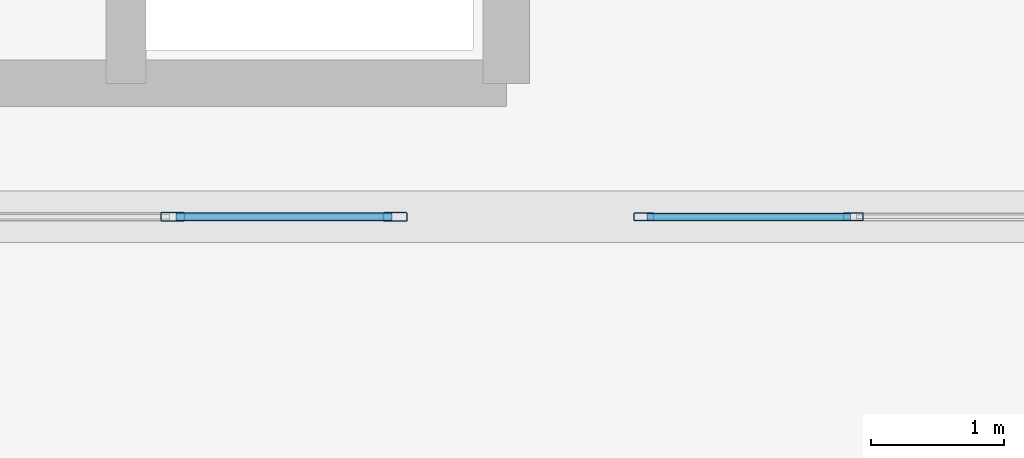
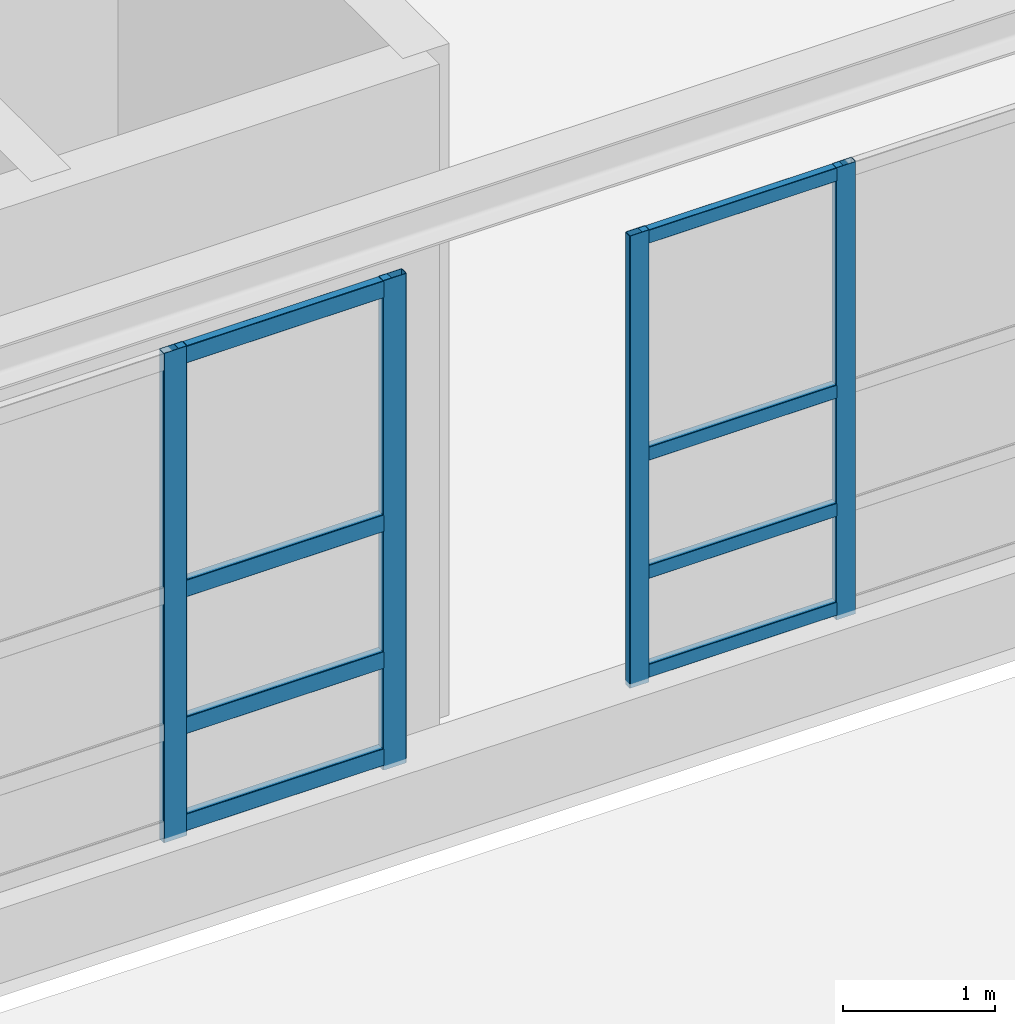
# One storey, part 46 of 197: 12 members, 2 elements without a shape of their own.
"""IFC4 building model written with IfcOpenShell, lengths in metres."""

from ifc_helpers import new_model, si_unit, derived_unit, direction, frame, origin, origin_2d, place, context, subcontext, project, spatial, hollow_rectangle, extrude, material, layer, layer_set, material_profile, profile_set, type_object, element, aggregate, save


model = new_model("IFC4")

# Units and contexts
model_context = context("Model", 3, precision=1e-05, world=origin(), true_north=direction((0.0, 1.0)))
body_context = subcontext(model_context, "Body", "Model", "MODEL_VIEW")
ifc_project = project(units=[si_unit("LENGTHUNIT", "METRE"), si_unit("AREAUNIT", "SQUARE_METRE"), si_unit("VOLUMEUNIT", "CUBIC_METRE"), si_unit("PLANEANGLEUNIT", "RADIAN"), si_unit("MASSUNIT", "GRAM", prefix="KILO"), derived_unit("THERMALTRANSMITTANCEUNIT", [(si_unit("POWERUNIT", "WATT"), 1), (si_unit("LENGTHUNIT", "METRE"), -2), (si_unit("THERMODYNAMICTEMPERATUREUNIT", "KELVIN"), -1)])], contexts=[model_context])

# Site, building, storey
site_placement = place(None, origin())
site = spatial("IfcSite", under=ifc_project, at=site_placement, CompositionType="ELEMENT")
building_placement = place(site_placement, origin())
building = spatial("IfcBuilding", under=site, at=building_placement, Name="Almenara Railside Exhibition Hall", CompositionType="ELEMENT")
storey_placement = place(building_placement, frame((0.0, 0.0, 5.39990234375)))
storey = spatial("IfcBuildingStorey", under=building, at=storey_placement, Name="L01", CompositionType="ELEMENT", Elevation=5.39990234375)

# Curtain wall, members
ifc_material_1 = material(Name="Bronze-anodised aluminium and low-E double glazing", Category="aluminium")
ifc_layer_1 = layer(ifc_material_1, 0.179931640625, Name="Bronze-anodised aluminium and low-E double glazing")
ifc_layer_set_1 = layer_set([ifc_layer_1], Name="Bronze-anodised aluminium and low-E double glazing")
curtain_wall_type_1 = type_object("IfcCurtainWallType", Name="Concourse Bridge Curtain Wall 3200x3600", PredefinedType="NOTDEFINED", material=ifc_layer_set_1)
curtain_wall_1_placement = place(storey_placement, origin())
curtain_wall_1 = element("IfcCurtainWall", 1, at=curtain_wall_1_placement, inside=storey, type_object=curtain_wall_type_1, Name="Curtain wall CW-PC3-121", PredefinedType="NOTDEFINED")
ifc_material_2 = material(Name="Bronze-anodised aluminium", Category="aluminium")
ifc_material_profile_1 = material_profile(ifc_material_2, hollow_rectangle(XDim=0.06005859375, YDim=0.14990234375, WallThickness=0.00341796875, InnerFilletRadius=0.00341796875, OuterFilletRadius=0.007080078125, at=origin_2d()), Name="ALU-MUL 60x150x3.5")
ifc_profile_set_1 = profile_set([ifc_material_profile_1], Name="Bronze-anodised aluminium")
member_type_1 = type_object("IfcMemberType", Name="Curtain Wall Mullion 60x150x3.5", PredefinedType="MULLION", material=ifc_profile_set_1)
member_1_placement = place(storey_placement, frame((78.22998046875, 36.0, 0.565185546875), z_axis=(0.0, 0.0, 1.0), x_axis=(0.0, 1.0, 0.0)))
member_1 = element("IfcMember", 2, at=member_1_placement, type_object=member_type_1, Name="CW-PC3-121 mullion 1", PredefinedType="MULLION", context=body_context, shape_type="SweptSolid", body=[
    extrude(hollow_rectangle(XDim=0.06005859375, YDim=0.14990234375, WallThickness=0.00341796875, InnerFilletRadius=0.00341796875, OuterFilletRadius=0.007080078125, at=origin_2d()), origin(), (0.0, 0.0, 1.0), 3.635009765625),
])
member_2_placement = place(storey_placement, frame((79.800048828125, 36.0, 0.565185546875), z_axis=(0.0, 0.0, 1.0), x_axis=(0.0, 1.0, 0.0)))
member_2 = element("IfcMember", 3, at=member_2_placement, type_object=member_type_1, Name="CW-PC3-121 mullion 2", PredefinedType="MULLION", context=body_context, shape_type="SweptSolid", body=[
    extrude(hollow_rectangle(XDim=0.06005859375, YDim=0.14990234375, WallThickness=0.00341796875, InnerFilletRadius=0.00341796875, OuterFilletRadius=0.007080078125, at=origin_2d()), origin(), (0.0, 0.0, 1.0), 3.635009765625),
])

ifc_layer_2 = layer(ifc_material_1, 0.179931640625, Name="Bronze-anodised aluminium and low-E double glazing")
ifc_layer_set_2 = layer_set([ifc_layer_2], Name="Bronze-anodised aluminium and low-E double glazing")
curtain_wall_type_2 = type_object("IfcCurtainWallType", Name="Concourse Upper Portale Curtain Wall 3400x3900", PredefinedType="NOTDEFINED", material=ifc_layer_set_2)
curtain_wall_2_placement = place(storey_placement, origin())
curtain_wall_2 = element("IfcCurtainWall", 4, at=curtain_wall_2_placement, inside=storey, type_object=curtain_wall_type_2, Name="Curtain wall CW-PC2-120", PredefinedType="NOTDEFINED")
ifc_material_profile_2 = material_profile(ifc_material_2, hollow_rectangle(XDim=0.06494140625, YDim=0.179931640625, WallThickness=0.00390625, InnerFilletRadius=0.00390625, OuterFilletRadius=0.008056640625, at=origin_2d()), Name="ALU-MUL 65x180x4")
ifc_profile_set_2 = profile_set([ifc_material_profile_2], Name="Bronze-anodised aluminium")
member_type_2 = type_object("IfcMemberType", Name="Curtain Wall Mullion 65x180x4", PredefinedType="MULLION", material=ifc_profile_set_2)
member_3_placement = place(storey_placement, frame((74.699951171875, 36.0, 0.565185546875), z_axis=(0.0, 0.0, 1.0), x_axis=(0.0, 1.0, 0.0)))
member_3 = element("IfcMember", 5, at=member_3_placement, type_object=member_type_2, Name="CW-PC2-120 mullion 2", PredefinedType="MULLION", context=body_context, shape_type="SweptSolid", body=[
    extrude(hollow_rectangle(XDim=0.06494140625, YDim=0.179931640625, WallThickness=0.00390625, InnerFilletRadius=0.00390625, OuterFilletRadius=0.008056640625, at=origin_2d()), origin(), (0.0, 0.0, 1.0), 3.934814453125),
])
member_4_placement = place(storey_placement, frame((76.367431640625, 36.0, 0.565185546875), z_axis=(0.0, 0.0, 1.0), x_axis=(0.0, 1.0, 0.0)))
member_4 = element("IfcMember", 6, at=member_4_placement, type_object=member_type_2, Name="CW-PC2-120 mullion 3", PredefinedType="MULLION", context=body_context, shape_type="SweptSolid", body=[
    extrude(hollow_rectangle(XDim=0.06494140625, YDim=0.179931640625, WallThickness=0.00390625, InnerFilletRadius=0.00390625, OuterFilletRadius=0.008056640625, at=origin_2d()), origin(), (0.0, 0.0, 1.0), 3.934814453125),
])

# Member
ifc_material_profile_3 = material_profile(ifc_material_2, hollow_rectangle(XDim=0.06005859375, YDim=0.110107421875, WallThickness=0.0029296875, InnerFilletRadius=0.0029296875, OuterFilletRadius=0.006103515625, at=origin_2d()), Name="ALU-TRN 60x110x3")
ifc_profile_set_3 = profile_set([ifc_material_profile_3], Name="Bronze-anodised aluminium")
member_type_3 = type_object("IfcMemberType", Name="Curtain Wall Transom 60x110x3", PredefinedType="USERDEFINED", material=ifc_profile_set_3)
member_5_placement = place(storey_placement, frame((78.251953125, 36.0, 0.655029296875), z_axis=(1.0, 0.0, 0.0), x_axis=(0.0, 1.0, 0.0)))
member_5 = element("IfcMember", 7, at=member_5_placement, type_object=member_type_3, Name="CW-PC3-121 transom 1.1", ObjectType="TRANSOM", PredefinedType="USERDEFINED", context=body_context, shape_type="SweptSolid", body=[
    extrude(hollow_rectangle(XDim=0.06005859375, YDim=0.110107421875, WallThickness=0.0029296875, InnerFilletRadius=0.0029296875, OuterFilletRadius=0.006103515625, at=origin_2d()), origin(), (0.0, 0.0, 1.0), 1.526123046875),
])

member_6_placement = place(storey_placement, frame((78.251953125, 36.0, 1.4501953125), z_axis=(1.0, 0.0, 0.0), x_axis=(0.0, 1.0, 0.0)))
member_6 = element("IfcMember", 8, at=member_6_placement, type_object=member_type_3, Name="CW-PC3-121 transom 1.2", ObjectType="TRANSOM", PredefinedType="USERDEFINED", context=body_context, shape_type="SweptSolid", body=[
    extrude(hollow_rectangle(XDim=0.06005859375, YDim=0.110107421875, WallThickness=0.0029296875, InnerFilletRadius=0.0029296875, OuterFilletRadius=0.006103515625, at=origin_2d()), origin(), (0.0, 0.0, 1.0), 1.526123046875),
])

member_7_placement = place(storey_placement, frame((78.251953125, 36.0, 2.400146484375), z_axis=(1.0, 0.0, 0.0), x_axis=(0.0, 1.0, 0.0)))
member_7 = element("IfcMember", 9, at=member_7_placement, type_object=member_type_3, Name="CW-PC3-121 transom 1.3", ObjectType="TRANSOM", PredefinedType="USERDEFINED", context=body_context, shape_type="SweptSolid", body=[
    extrude(hollow_rectangle(XDim=0.06005859375, YDim=0.110107421875, WallThickness=0.0029296875, InnerFilletRadius=0.0029296875, OuterFilletRadius=0.006103515625, at=origin_2d()), origin(), (0.0, 0.0, 1.0), 1.526123046875),
])

member_8_placement = place(storey_placement, frame((78.251953125, 36.0, 4.14501953125), z_axis=(1.0, 0.0, 0.0), x_axis=(0.0, 1.0, 0.0)))
member_8 = element("IfcMember", 10, at=member_8_placement, type_object=member_type_3, Name="CW-PC3-121 transom 1.4", ObjectType="TRANSOM", PredefinedType="USERDEFINED", context=body_context, shape_type="SweptSolid", body=[
    extrude(hollow_rectangle(XDim=0.06005859375, YDim=0.110107421875, WallThickness=0.0029296875, InnerFilletRadius=0.0029296875, OuterFilletRadius=0.006103515625, at=origin_2d()), origin(), (0.0, 0.0, 1.0), 1.526123046875),
])

aggregate(curtain_wall_1, [member_1, member_2, member_5, member_6, member_7, member_8])

ifc_material_profile_4 = material_profile(ifc_material_2, hollow_rectangle(XDim=0.06494140625, YDim=0.139892578125, WallThickness=0.00341796875, InnerFilletRadius=0.00341796875, OuterFilletRadius=0.007080078125, at=origin_2d()), Name="ALU-TRN 65x140x3.5")
ifc_profile_set_4 = profile_set([ifc_material_profile_4], Name="Bronze-anodised aluminium")
member_type_4 = type_object("IfcMemberType", Name="Curtain Wall Transom 65x140x3.5", PredefinedType="USERDEFINED", material=ifc_profile_set_4)
member_9_placement = place(storey_placement, frame((74.724609375, 36.0, 0.670166015625), z_axis=(1.0, 0.0, 0.0), x_axis=(0.0, 1.0, 0.0)))
member_9 = element("IfcMember", 11, at=member_9_placement, type_object=member_type_4, Name="CW-PC2-120 transom 2.1", ObjectType="TRANSOM", PredefinedType="USERDEFINED", context=body_context, shape_type="SweptSolid", body=[
    extrude(hollow_rectangle(XDim=0.06494140625, YDim=0.139892578125, WallThickness=0.00341796875, InnerFilletRadius=0.00341796875, OuterFilletRadius=0.007080078125, at=origin_2d()), origin(), (0.0, 0.0, 1.0), 1.618408203125),
])

member_10_placement = place(storey_placement, frame((74.724609375, 36.0, 1.4501953125), z_axis=(1.0, 0.0, 0.0), x_axis=(0.0, 1.0, 0.0)))
member_10 = element("IfcMember", 12, at=member_10_placement, type_object=member_type_4, Name="CW-PC2-120 transom 2.2", ObjectType="TRANSOM", PredefinedType="USERDEFINED", context=body_context, shape_type="SweptSolid", body=[
    extrude(hollow_rectangle(XDim=0.06494140625, YDim=0.139892578125, WallThickness=0.00341796875, InnerFilletRadius=0.00341796875, OuterFilletRadius=0.007080078125, at=origin_2d()), origin(), (0.0, 0.0, 1.0), 1.618408203125),
])

member_11_placement = place(storey_placement, frame((74.724609375, 36.0, 2.550048828125), z_axis=(1.0, 0.0, 0.0), x_axis=(0.0, 1.0, 0.0)))
member_11 = element("IfcMember", 13, at=member_11_placement, type_object=member_type_4, Name="CW-PC2-120 transom 2.3", ObjectType="TRANSOM", PredefinedType="USERDEFINED", context=body_context, shape_type="SweptSolid", body=[
    extrude(hollow_rectangle(XDim=0.06494140625, YDim=0.139892578125, WallThickness=0.00341796875, InnerFilletRadius=0.00341796875, OuterFilletRadius=0.007080078125, at=origin_2d()), origin(), (0.0, 0.0, 1.0), 1.618408203125),
])

member_12_placement = place(storey_placement, frame((74.724609375, 36.0, 4.43017578125), z_axis=(1.0, 0.0, 0.0), x_axis=(0.0, 1.0, 0.0)))
member_12 = element("IfcMember", 14, at=member_12_placement, type_object=member_type_4, Name="CW-PC2-120 transom 2.4", ObjectType="TRANSOM", PredefinedType="USERDEFINED", context=body_context, shape_type="SweptSolid", body=[
    extrude(hollow_rectangle(XDim=0.06494140625, YDim=0.139892578125, WallThickness=0.00341796875, InnerFilletRadius=0.00341796875, OuterFilletRadius=0.007080078125, at=origin_2d()), origin(), (0.0, 0.0, 1.0), 1.618408203125),
])

aggregate(curtain_wall_2, [member_3, member_4, member_9, member_10, member_11, member_12])

save(model, "model.ifc")
